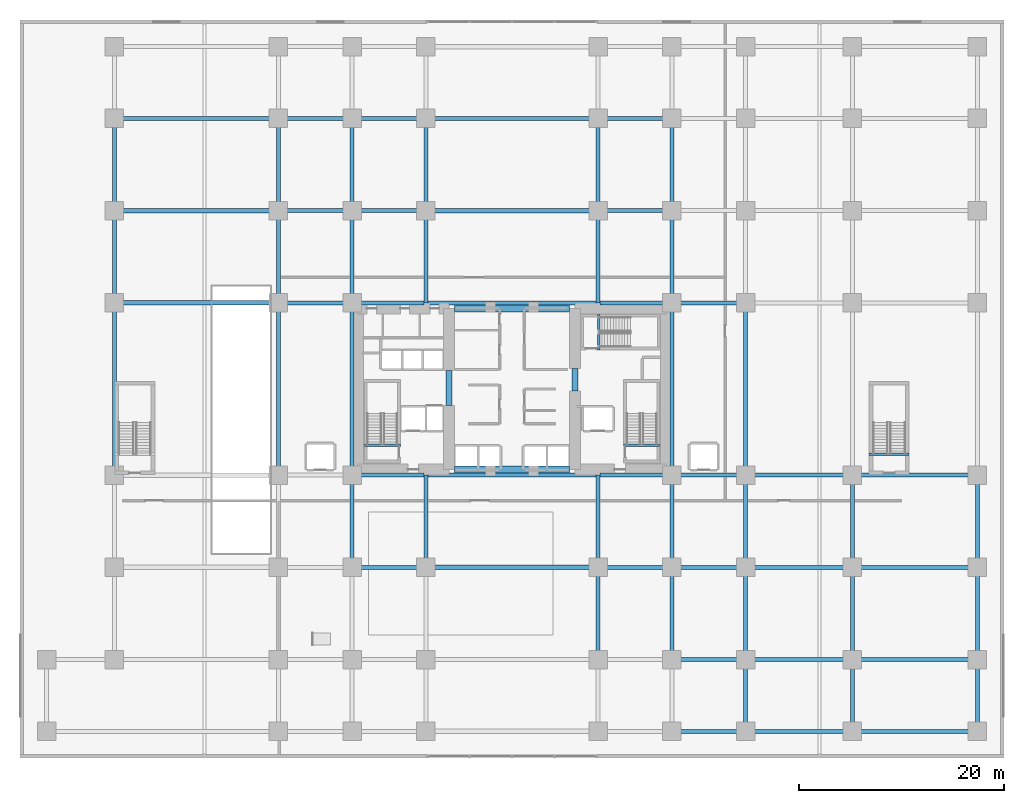
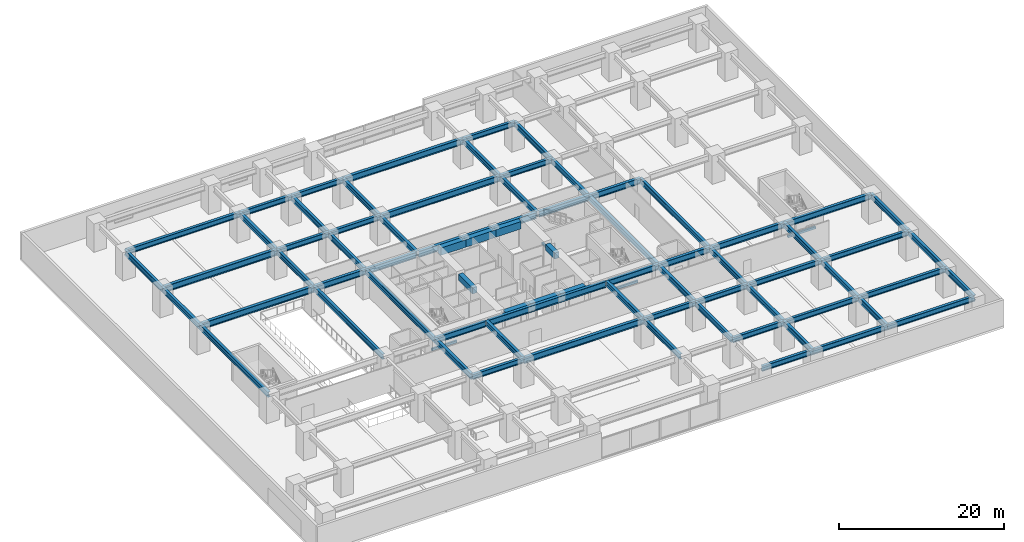
# One storey, part 5 of 22: 78 beams.
"""IFC4 building model written with IfcOpenShell, lengths in metres."""

from ifc_helpers import new_model, si_unit, direction, frame, origin, origin_2d, place, context, subcontext, project, spatial, rectangle, i_section, extrude, material, material_profile, profile_set, type_object, element, save


model = new_model("IFC4")

# Units and contexts
model_context = context("Model", 3, precision=1e-05, world=origin(), true_north=direction((0.0, 1.0)))
body_context = subcontext(model_context, "Body", "Model", "MODEL_VIEW")
ifc_project = project(units=[si_unit("LENGTHUNIT", "METRE"), si_unit("AREAUNIT", "SQUARE_METRE"), si_unit("VOLUMEUNIT", "CUBIC_METRE"), si_unit("PLANEANGLEUNIT", "RADIAN"), si_unit("MASSUNIT", "GRAM", prefix="KILO")], contexts=[model_context])

# Site, building, storey
site_placement = place(None, origin())
site = spatial("IfcSite", under=ifc_project, at=site_placement, CompositionType="ELEMENT")
building_placement = place(site_placement, origin())
building = spatial("IfcBuilding", under=site, at=building_placement, Name="Kiyonajd Concourse Tower", CompositionType="ELEMENT")
storey_placement = place(building_placement, frame((0.0, 0.0, 8.699951171875)))
storey = spatial("IfcBuildingStorey", under=building, at=storey_placement, Name="L03", CompositionType="ELEMENT", Elevation=8.699951171875)

# Beams
ifc_material_1 = material(Name="Steel ASTM A992 Grade 50", Category="steel")
ifc_material_profile_1 = material_profile(ifc_material_1, i_section(OverallWidth=0.423095703125, OverallDepth=0.93310546875, WebThickness=0.02392578125, FlangeThickness=0.042724609375, at=origin_2d()), Name="W920X446")
ifc_profile_set_1 = profile_set([ifc_material_profile_1], Name="Steel ASTM A992 Grade 50")
beam_type_1 = type_object("IfcBeamType", Name="BM-AUD-920A", PredefinedType="BEAM", material=ifc_profile_set_1)
for number, where, z_axis, x_axis, name in (
    (1, (9.199951171875, 44.39990234375, 3.41357421875), (1.0, 0.0, 0.0), (0.0, 1.0, 0.0), "L03 Auditorium Clear Span Girder"),
    (2, (9.199951171875, 53.39990234375, 3.41357421875), (1.0, 0.0, 0.0), (0.0, 1.0, 0.0), "L03 Auditorium Clear Span Girder"),
):
    element("IfcBeam", number, at=place(storey_placement, frame(where, z_axis=z_axis, x_axis=x_axis)), inside=storey, type_object=beam_type_1, Name=name, PredefinedType="BEAM", context=body_context, shape_type="SweptSolid", body=[
        extrude(i_section(OverallWidth=0.423095703125, OverallDepth=0.93310546875, WebThickness=0.02392578125, FlangeThickness=0.042724609375, at=origin_2d()), origin(), (0.0, 0.0, 1.0), 16.0),
    ])
ifc_material_profile_2 = material_profile(ifc_material_1, i_section(OverallWidth=0.41796875, OverallDepth=0.912109375, WebThickness=0.019287109375, FlangeThickness=0.031982421875, at=origin_2d()), Name="W920X342")
ifc_profile_set_2 = profile_set([ifc_material_profile_2], Name="Steel ASTM A992 Grade 50")
beam_type_2 = type_object("IfcBeamType", Name="BM-CON-920B", PredefinedType="BEAM", material=ifc_profile_set_2)
beam_1_placement = place(storey_placement, frame((39.60009765625, 18.60009765625, 3.424072265625), z_axis=(1.0, 0.0, 0.0), x_axis=(0.0, 1.0, 0.0)))
element("IfcBeam", 3, at=beam_1_placement, inside=storey, type_object=beam_type_2, Name="L03 Concourse Clear Span Girder", PredefinedType="BEAM", context=body_context, shape_type="SweptSolid", body=[
    extrude(i_section(OverallWidth=0.41796875, OverallDepth=0.912109375, WebThickness=0.019287109375, FlangeThickness=0.031982421875, at=origin_2d()), origin(), (0.0, 0.0, 1.0), 16.7998046875),
])
for number, where, z_axis, x_axis, name in (
    (4, (39.79052734375, 27.60009765625, 3.424072265625), (1.0, 0.0, 0.0), (0.0, 1.0, 0.0), "L03 Concourse Clear Span Girder"),
    (5, (39.79052734375, 44.39990234375, 3.424072265625), (1.0, 0.0, 0.0), (0.0, 1.0, 0.0), "L03 Concourse Clear Span Girder"),
):
    element("IfcBeam", number, at=place(storey_placement, frame(where, z_axis=z_axis, x_axis=x_axis)), inside=storey, type_object=beam_type_2, Name=name, PredefinedType="BEAM", context=body_context, shape_type="SweptSolid", body=[
        extrude(i_section(OverallWidth=0.41796875, OverallDepth=0.912109375, WebThickness=0.019287109375, FlangeThickness=0.031982421875, at=origin_2d()), origin(), (0.0, 0.0, 1.0), 16.4189453125),
    ])
for number, where, z_axis, x_axis, name in (
    (6, (39.60009765625, 53.39990234375, 3.424072265625), (1.0, 0.0, 0.0), (0.0, 1.0, 0.0), "L03 Concourse Clear Span Girder"),
    (7, (39.60009765625, 62.39990234375, 3.424072265625), (1.0, 0.0, 0.0), (0.0, 1.0, 0.0), "L03 Concourse Clear Span Girder"),
):
    element("IfcBeam", number, at=place(storey_placement, frame(where, z_axis=z_axis, x_axis=x_axis)), inside=storey, type_object=beam_type_2, Name=name, PredefinedType="BEAM", context=body_context, shape_type="SweptSolid", body=[
        extrude(i_section(OverallWidth=0.41796875, OverallDepth=0.912109375, WebThickness=0.019287109375, FlangeThickness=0.031982421875, at=origin_2d()), origin(), (0.0, 0.0, 1.0), 16.7998046875),
    ])
ifc_material_2 = material(Name="Concrete C70/85", Category="concrete")
ifc_material_profile_3 = material_profile(ifc_material_2, rectangle(XDim=0.699951171875, YDim=1.10009765625, at=origin_2d()), Name="RCBM-700x1100")
ifc_profile_set_3 = profile_set([ifc_material_profile_3], Name="Concrete C70/85")
beam_type_3 = type_object("IfcBeamType", Name="BM-COUP-1100", PredefinedType="LINTEL", material=ifc_profile_set_3)
beam_2_placement = place(storey_placement, frame((42.39990234375, 28.14990234375, 3.330078125), z_axis=(1.0, 0.0, 0.0), x_axis=(0.0, 1.0, 0.0)))
element("IfcBeam", 8, at=beam_2_placement, inside=storey, type_object=beam_type_3, Name="L03 Core Coupling Beam S1", PredefinedType="LINTEL", context=body_context, shape_type="SweptSolid", body=[
    extrude(rectangle(XDim=0.699951171875, YDim=1.10009765625, at=origin_2d()), origin(), (0.0, 0.0, 1.0), 3.5),
])
beam_3_placement = place(storey_placement, frame((45.89990234375, 28.14990234375, 3.330078125), z_axis=(1.0, 0.0, 0.0), x_axis=(0.0, 1.0, 0.0)))
element("IfcBeam", 9, at=beam_3_placement, inside=storey, type_object=beam_type_3, Name="L03 Core Coupling Beam S2", PredefinedType="LINTEL", context=body_context, shape_type="SweptSolid", body=[
    extrude(rectangle(XDim=0.699951171875, YDim=1.10009765625, at=origin_2d()), origin(), (0.0, 0.0, 1.0), 4.2001953125),
])
for number, where, z_axis, x_axis, name in (
    (10, (50.10009765625, 28.14990234375, 3.330078125), (1.0, 0.0, 0.0), (0.0, 1.0, 0.0), "L03 Core Coupling Beam S3"),
    (11, (42.39990234375, 43.85009765625, 3.330078125), (1.0, 0.0, 0.0), (0.0, 1.0, 0.0), "L03 Core Coupling Beam N1"),
):
    element("IfcBeam", number, at=place(storey_placement, frame(where, z_axis=z_axis, x_axis=x_axis)), inside=storey, type_object=beam_type_3, Name=name, PredefinedType="LINTEL", context=body_context, shape_type="SweptSolid", body=[
        extrude(rectangle(XDim=0.699951171875, YDim=1.10009765625, at=origin_2d()), origin(), (0.0, 0.0, 1.0), 3.5),
    ])
beam_4_placement = place(storey_placement, frame((45.89990234375, 43.85009765625, 3.330078125), z_axis=(1.0, 0.0, 0.0), x_axis=(0.0, 1.0, 0.0)))
element("IfcBeam", 12, at=beam_4_placement, inside=storey, type_object=beam_type_3, Name="L03 Core Coupling Beam N2", PredefinedType="LINTEL", context=body_context, shape_type="SweptSolid", body=[
    extrude(rectangle(XDim=0.699951171875, YDim=1.10009765625, at=origin_2d()), origin(), (0.0, 0.0, 1.0), 4.2001953125),
])
beam_5_placement = place(storey_placement, frame((50.10009765625, 43.85009765625, 3.330078125), z_axis=(1.0, 0.0, 0.0), x_axis=(0.0, 1.0, 0.0)))
element("IfcBeam", 13, at=beam_5_placement, inside=storey, type_object=beam_type_3, Name="L03 Core Coupling Beam N3", PredefinedType="LINTEL", context=body_context, shape_type="SweptSolid", body=[
    extrude(rectangle(XDim=0.699951171875, YDim=1.10009765625, at=origin_2d()), origin(), (0.0, 0.0, 1.0), 3.5),
])
ifc_material_3 = material(Name="Concrete C60/75", Category="concrete")
ifc_material_profile_4 = material_profile(ifc_material_3, rectangle(XDim=0.60009765625, YDim=0.89990234375, at=origin_2d()), Name="RCBM-600x900")
ifc_profile_set_4 = profile_set([ifc_material_profile_4], Name="Concrete C60/75")
beam_type_4 = type_object("IfcBeamType", Name="BM-COUP-900", PredefinedType="LINTEL", material=ifc_profile_set_4)
beam_6_placement = place(storey_placement, frame((41.85009765625, 34.39990234375, 3.330078125), z_axis=(0.0, 1.0, 0.0), x_axis=(-1.0, 0.0, 0.0)))
element("IfcBeam", 14, at=beam_6_placement, inside=storey, type_object=beam_type_4, Name="L03 West Core Throat Coupling Lintel", PredefinedType="LINTEL", context=body_context, shape_type="SweptSolid", body=[
    extrude(rectangle(XDim=0.60009765625, YDim=0.89990234375, at=origin_2d()), origin(), (0.0, 0.0, 1.0), 3.400146484375),
])
beam_7_placement = place(storey_placement, frame((54.14990234375, 35.800048828125, 3.330078125), z_axis=(0.0, 1.0, 0.0), x_axis=(-1.0, 0.0, 0.0)))
element("IfcBeam", 15, at=beam_7_placement, inside=storey, type_object=beam_type_4, Name="L03 East Core Throat Coupling Lintel", PredefinedType="LINTEL", context=body_context, shape_type="SweptSolid", body=[
    extrude(rectangle(XDim=0.60009765625, YDim=0.89990234375, at=origin_2d()), origin(), (0.0, 0.0, 1.0), 2.199951171875),
])
ifc_material_4 = material(Name="Concrete C50/60", Category="concrete")
ifc_material_profile_5 = material_profile(ifc_material_4, rectangle(XDim=0.239990234375, YDim=0.320068359375, at=origin_2d()), Name="RCBM-240x320")
ifc_profile_set_5 = profile_set([ifc_material_profile_5], Name="Concrete C50/60")
beam_type_5 = type_object("IfcBeamType", Name="BM-LNT-250", PredefinedType="LINTEL", material=ifc_profile_set_5)
for number, where, z_axis, x_axis, name in (
    (16, (33.590087890625, 30.530029296875, -0.159912109375), (1.0, 0.0, 0.0), (0.0, 1.0, 0.0), "L03 Stair ST1 Threshold Support Beam"),
    (17, (58.889892578125, 30.530029296875, -0.159912109375), (1.0, 0.0, 0.0), (0.0, 1.0, 0.0), "L03 Stair ST2 Threshold Support Beam"),
):
    element("IfcBeam", number, at=place(storey_placement, frame(where, z_axis=z_axis, x_axis=x_axis)), inside=storey, type_object=beam_type_5, Name=name, PredefinedType="LINTEL", context=body_context, shape_type="SweptSolid", body=[
        extrude(rectangle(XDim=0.239990234375, YDim=0.320068359375, at=origin_2d()), origin(), (0.0, 0.0, 1.0), 3.52001953125),
    ])
beam_8_placement = place(storey_placement, frame((56.4599609375, 39.820068359375, -0.159912109375), z_axis=(0.0, 1.0, 0.0), x_axis=(-1.0, 0.0, 0.0)))
element("IfcBeam", 18, at=beam_8_placement, inside=storey, type_object=beam_type_5, Name="L03 Stair ST3 Threshold Support Beam", PredefinedType="LINTEL", context=body_context, shape_type="SweptSolid", body=[
    extrude(rectangle(XDim=0.239990234375, YDim=0.320068359375, at=origin_2d()), origin(), (0.0, 0.0, 1.0), 3.4599609375),
])
beam_9_placement = place(storey_placement, frame((82.85009765625, 29.6298828125, -0.159912109375), z_axis=(1.0, 0.0, 0.0), x_axis=(0.0, 1.0, 0.0)))
element("IfcBeam", 19, at=beam_9_placement, inside=storey, type_object=beam_type_5, Name="L03 Stair ST5 Threshold Support Beam", PredefinedType="LINTEL", context=body_context, shape_type="SweptSolid", body=[
    extrude(rectangle(XDim=0.239990234375, YDim=0.320068359375, at=origin_2d()), origin(), (0.0, 0.0, 1.0), 3.89990234375),
])
ifc_material_profile_6 = material_profile(ifc_material_1, i_section(OverallWidth=0.381103515625, OverallDepth=0.77294921875, WebThickness=0.0166015625, FlangeThickness=0.027099609375, at=origin_2d()), Name="W760X257")
ifc_profile_set_6 = profile_set([ifc_material_profile_6], Name="Steel ASTM A992 Grade 50")
beam_type_6 = type_object("IfcBeamType", Name="BM-POD-760", PredefinedType="BEAM", material=ifc_profile_set_6)
beam_10_placement = place(storey_placement, frame((63.60009765625, 2.60009765625, 3.49365234375), z_axis=(1.0, 0.0, 0.0), x_axis=(0.0, 1.0, 0.0)))
element("IfcBeam", 20, at=beam_10_placement, inside=storey, type_object=beam_type_6, Name="L03 Podium Primary Beam", PredefinedType="BEAM", context=body_context, shape_type="SweptSolid", body=[
    extrude(i_section(OverallWidth=0.381103515625, OverallDepth=0.77294921875, WebThickness=0.0166015625, FlangeThickness=0.027099609375, at=origin_2d()), origin(), (0.0, 0.0, 1.0), 7.199951171875),
])
beam_11_placement = place(storey_placement, frame((70.800048828125, 2.60009765625, 3.49365234375), z_axis=(1.0, 0.0, 0.0), x_axis=(0.0, 1.0, 0.0)))
element("IfcBeam", 21, at=beam_11_placement, inside=storey, type_object=beam_type_6, Name="L03 Podium Primary Beam", PredefinedType="BEAM", context=body_context, shape_type="SweptSolid", body=[
    extrude(i_section(OverallWidth=0.381103515625, OverallDepth=0.77294921875, WebThickness=0.0166015625, FlangeThickness=0.027099609375, at=origin_2d()), origin(), (0.0, 0.0, 1.0), 10.39990234375),
])
beam_12_placement = place(storey_placement, frame((81.199951171875, 2.60009765625, 3.49365234375), z_axis=(1.0, 0.0, 0.0), x_axis=(0.0, 1.0, 0.0)))
element("IfcBeam", 22, at=beam_12_placement, inside=storey, type_object=beam_type_6, Name="L03 Podium Primary Beam", PredefinedType="BEAM", context=body_context, shape_type="SweptSolid", body=[
    extrude(i_section(OverallWidth=0.381103515625, OverallDepth=0.77294921875, WebThickness=0.0166015625, FlangeThickness=0.027099609375, at=origin_2d()), origin(), (0.0, 0.0, 1.0), 12.199951171875),
])
beam_13_placement = place(storey_placement, frame((63.60009765625, 9.60009765625, 3.49365234375), z_axis=(1.0, 0.0, 0.0), x_axis=(0.0, 1.0, 0.0)))
element("IfcBeam", 23, at=beam_13_placement, inside=storey, type_object=beam_type_6, Name="L03 Podium Primary Beam", PredefinedType="BEAM", context=body_context, shape_type="SweptSolid", body=[
    extrude(i_section(OverallWidth=0.381103515625, OverallDepth=0.77294921875, WebThickness=0.0166015625, FlangeThickness=0.027099609375, at=origin_2d()), origin(), (0.0, 0.0, 1.0), 7.199951171875),
])
beam_14_placement = place(storey_placement, frame((70.800048828125, 9.60009765625, 3.49365234375), z_axis=(1.0, 0.0, 0.0), x_axis=(0.0, 1.0, 0.0)))
element("IfcBeam", 24, at=beam_14_placement, inside=storey, type_object=beam_type_6, Name="L03 Podium Primary Beam", PredefinedType="BEAM", context=body_context, shape_type="SweptSolid", body=[
    extrude(i_section(OverallWidth=0.381103515625, OverallDepth=0.77294921875, WebThickness=0.0166015625, FlangeThickness=0.027099609375, at=origin_2d()), origin(), (0.0, 0.0, 1.0), 10.39990234375),
])
beam_15_placement = place(storey_placement, frame((81.199951171875, 9.60009765625, 3.49365234375), z_axis=(1.0, 0.0, 0.0), x_axis=(0.0, 1.0, 0.0)))
element("IfcBeam", 25, at=beam_15_placement, inside=storey, type_object=beam_type_6, Name="L03 Podium Primary Beam", PredefinedType="BEAM", context=body_context, shape_type="SweptSolid", body=[
    extrude(i_section(OverallWidth=0.381103515625, OverallDepth=0.77294921875, WebThickness=0.0166015625, FlangeThickness=0.027099609375, at=origin_2d()), origin(), (0.0, 0.0, 1.0), 12.199951171875),
])
for number, where, z_axis, x_axis, name in (
    (26, (32.39990234375, 18.60009765625, 3.49365234375), (1.0, 0.0, 0.0), (0.0, 1.0, 0.0), "L03 Podium Primary Beam"),
    (27, (56.39990234375, 18.60009765625, 3.49365234375), (1.0, 0.0, 0.0), (0.0, 1.0, 0.0), "L03 Podium Primary Beam"),
):
    element("IfcBeam", number, at=place(storey_placement, frame(where, z_axis=z_axis, x_axis=x_axis)), inside=storey, type_object=beam_type_6, Name=name, PredefinedType="BEAM", context=body_context, shape_type="SweptSolid", body=[
        extrude(i_section(OverallWidth=0.381103515625, OverallDepth=0.77294921875, WebThickness=0.0166015625, FlangeThickness=0.027099609375, at=origin_2d()), origin(), (0.0, 0.0, 1.0), 7.2001953125),
    ])
beam_16_placement = place(storey_placement, frame((63.60009765625, 18.60009765625, 3.49365234375), z_axis=(1.0, 0.0, 0.0), x_axis=(0.0, 1.0, 0.0)))
element("IfcBeam", 28, at=beam_16_placement, inside=storey, type_object=beam_type_6, Name="L03 Podium Primary Beam", PredefinedType="BEAM", context=body_context, shape_type="SweptSolid", body=[
    extrude(i_section(OverallWidth=0.381103515625, OverallDepth=0.77294921875, WebThickness=0.0166015625, FlangeThickness=0.027099609375, at=origin_2d()), origin(), (0.0, 0.0, 1.0), 7.199951171875),
])
beam_17_placement = place(storey_placement, frame((70.800048828125, 18.60009765625, 3.49365234375), z_axis=(1.0, 0.0, 0.0), x_axis=(0.0, 1.0, 0.0)))
element("IfcBeam", 29, at=beam_17_placement, inside=storey, type_object=beam_type_6, Name="L03 Podium Primary Beam", PredefinedType="BEAM", context=body_context, shape_type="SweptSolid", body=[
    extrude(i_section(OverallWidth=0.381103515625, OverallDepth=0.77294921875, WebThickness=0.0166015625, FlangeThickness=0.027099609375, at=origin_2d()), origin(), (0.0, 0.0, 1.0), 10.39990234375),
])
beam_18_placement = place(storey_placement, frame((81.199951171875, 18.60009765625, 3.49365234375), z_axis=(1.0, 0.0, 0.0), x_axis=(0.0, 1.0, 0.0)))
element("IfcBeam", 30, at=beam_18_placement, inside=storey, type_object=beam_type_6, Name="L03 Podium Primary Beam", PredefinedType="BEAM", context=body_context, shape_type="SweptSolid", body=[
    extrude(i_section(OverallWidth=0.381103515625, OverallDepth=0.77294921875, WebThickness=0.0166015625, FlangeThickness=0.027099609375, at=origin_2d()), origin(), (0.0, 0.0, 1.0), 12.199951171875),
])
beam_19_placement = place(storey_placement, frame((25.199951171875, 53.39990234375, 3.49365234375), z_axis=(1.0, 0.0, 0.0), x_axis=(0.0, 1.0, 0.0)))
element("IfcBeam", 31, at=beam_19_placement, inside=storey, type_object=beam_type_6, Name="L03 Podium Primary Beam", PredefinedType="BEAM", context=body_context, shape_type="SweptSolid", body=[
    extrude(i_section(OverallWidth=0.381103515625, OverallDepth=0.77294921875, WebThickness=0.0166015625, FlangeThickness=0.027099609375, at=origin_2d()), origin(), (0.0, 0.0, 1.0), 7.199951171875),
])
for number, where, z_axis, x_axis, name in (
    (32, (32.39990234375, 53.39990234375, 3.49365234375), (1.0, 0.0, 0.0), (0.0, 1.0, 0.0), "L03 Podium Primary Beam"),
    (33, (56.39990234375, 53.39990234375, 3.49365234375), (1.0, 0.0, 0.0), (0.0, 1.0, 0.0), "L03 Podium Primary Beam"),
):
    element("IfcBeam", number, at=place(storey_placement, frame(where, z_axis=z_axis, x_axis=x_axis)), inside=storey, type_object=beam_type_6, Name=name, PredefinedType="BEAM", context=body_context, shape_type="SweptSolid", body=[
        extrude(i_section(OverallWidth=0.381103515625, OverallDepth=0.77294921875, WebThickness=0.0166015625, FlangeThickness=0.027099609375, at=origin_2d()), origin(), (0.0, 0.0, 1.0), 7.2001953125),
    ])
beam_20_placement = place(storey_placement, frame((9.199951171875, 62.39990234375, 3.49365234375), z_axis=(1.0, 0.0, 0.0), x_axis=(0.0, 1.0, 0.0)))
element("IfcBeam", 34, at=beam_20_placement, inside=storey, type_object=beam_type_6, Name="L03 Podium Primary Beam", PredefinedType="BEAM", context=body_context, shape_type="SweptSolid", body=[
    extrude(i_section(OverallWidth=0.381103515625, OverallDepth=0.77294921875, WebThickness=0.0166015625, FlangeThickness=0.027099609375, at=origin_2d()), origin(), (0.0, 0.0, 1.0), 16.0),
])
beam_21_placement = place(storey_placement, frame((25.199951171875, 62.39990234375, 3.49365234375), z_axis=(1.0, 0.0, 0.0), x_axis=(0.0, 1.0, 0.0)))
element("IfcBeam", 35, at=beam_21_placement, inside=storey, type_object=beam_type_6, Name="L03 Podium Primary Beam", PredefinedType="BEAM", context=body_context, shape_type="SweptSolid", body=[
    extrude(i_section(OverallWidth=0.381103515625, OverallDepth=0.77294921875, WebThickness=0.0166015625, FlangeThickness=0.027099609375, at=origin_2d()), origin(), (0.0, 0.0, 1.0), 7.199951171875),
])
for number, where, z_axis, x_axis, name in (
    (36, (32.39990234375, 62.39990234375, 3.49365234375), (1.0, 0.0, 0.0), (0.0, 1.0, 0.0), "L03 Podium Primary Beam"),
    (37, (56.39990234375, 62.39990234375, 3.49365234375), (1.0, 0.0, 0.0), (0.0, 1.0, 0.0), "L03 Podium Primary Beam"),
):
    element("IfcBeam", number, at=place(storey_placement, frame(where, z_axis=z_axis, x_axis=x_axis)), inside=storey, type_object=beam_type_6, Name=name, PredefinedType="BEAM", context=body_context, shape_type="SweptSolid", body=[
        extrude(i_section(OverallWidth=0.381103515625, OverallDepth=0.77294921875, WebThickness=0.0166015625, FlangeThickness=0.027099609375, at=origin_2d()), origin(), (0.0, 0.0, 1.0), 7.2001953125),
    ])
beam_22_placement = place(storey_placement, frame((9.199951171875, 27.60009765625, 3.49365234375), z_axis=(0.0, 1.0, 0.0), x_axis=(-1.0, 0.0, 0.0)))
element("IfcBeam", 38, at=beam_22_placement, inside=storey, type_object=beam_type_6, Name="L03 Podium North South Beam", PredefinedType="BEAM", context=body_context, shape_type="SweptSolid", body=[
    extrude(i_section(OverallWidth=0.381103515625, OverallDepth=0.77294921875, WebThickness=0.0166015625, FlangeThickness=0.027099609375, at=origin_2d()), origin(), (0.0, 0.0, 1.0), 16.7998046875),
])
for number, where, z_axis, x_axis, name in (
    (39, (9.199951171875, 44.39990234375, 3.49365234375), (0.0, 1.0, 0.0), (-1.0, 0.0, 0.0), "L03 Podium North South Beam"),
    (40, (9.199951171875, 53.39990234375, 3.49365234375), (0.0, 1.0, 0.0), (-1.0, 0.0, 0.0), "L03 Podium North South Beam"),
):
    element("IfcBeam", number, at=place(storey_placement, frame(where, z_axis=z_axis, x_axis=x_axis)), inside=storey, type_object=beam_type_6, Name=name, PredefinedType="BEAM", context=body_context, shape_type="SweptSolid", body=[
        extrude(i_section(OverallWidth=0.381103515625, OverallDepth=0.77294921875, WebThickness=0.0166015625, FlangeThickness=0.027099609375, at=origin_2d()), origin(), (0.0, 0.0, 1.0), 9.0),
    ])
beam_23_placement = place(storey_placement, frame((25.199951171875, 27.60009765625, 3.49365234375), z_axis=(0.0, 1.0, 0.0), x_axis=(-1.0, 0.0, 0.0)))
element("IfcBeam", 41, at=beam_23_placement, inside=storey, type_object=beam_type_6, Name="L03 Podium North South Beam", PredefinedType="BEAM", context=body_context, shape_type="SweptSolid", body=[
    extrude(i_section(OverallWidth=0.381103515625, OverallDepth=0.77294921875, WebThickness=0.0166015625, FlangeThickness=0.027099609375, at=origin_2d()), origin(), (0.0, 0.0, 1.0), 16.7998046875),
])
for number, where, z_axis, x_axis, name in (
    (42, (25.199951171875, 44.39990234375, 3.49365234375), (0.0, 1.0, 0.0), (-1.0, 0.0, 0.0), "L03 Podium North South Beam"),
    (43, (25.199951171875, 53.39990234375, 3.49365234375), (0.0, 1.0, 0.0), (-1.0, 0.0, 0.0), "L03 Podium North South Beam"),
    (44, (32.39990234375, 18.60009765625, 3.49365234375), (0.0, 1.0, 0.0), (-1.0, 0.0, 0.0), "L03 Podium North South Beam"),
):
    element("IfcBeam", number, at=place(storey_placement, frame(where, z_axis=z_axis, x_axis=x_axis)), inside=storey, type_object=beam_type_6, Name=name, PredefinedType="BEAM", context=body_context, shape_type="SweptSolid", body=[
        extrude(i_section(OverallWidth=0.381103515625, OverallDepth=0.77294921875, WebThickness=0.0166015625, FlangeThickness=0.027099609375, at=origin_2d()), origin(), (0.0, 0.0, 1.0), 9.0),
    ])
beam_24_placement = place(storey_placement, frame((32.39990234375, 27.60009765625, 3.49365234375), z_axis=(0.0, 1.0, 0.0), x_axis=(-1.0, 0.0, 0.0)))
element("IfcBeam", 45, at=beam_24_placement, inside=storey, type_object=beam_type_6, Name="L03 Podium North South Beam", PredefinedType="BEAM", context=body_context, shape_type="SweptSolid", body=[
    extrude(i_section(OverallWidth=0.381103515625, OverallDepth=0.77294921875, WebThickness=0.0166015625, FlangeThickness=0.027099609375, at=origin_2d()), origin(), (0.0, 0.0, 1.0), 16.7998046875),
])
for number, where, z_axis, x_axis, name in (
    (46, (32.39990234375, 44.39990234375, 3.49365234375), (0.0, 1.0, 0.0), (-1.0, 0.0, 0.0), "L03 Podium North South Beam"),
    (47, (32.39990234375, 53.39990234375, 3.49365234375), (0.0, 1.0, 0.0), (-1.0, 0.0, 0.0), "L03 Podium North South Beam"),
    (48, (39.60009765625, 18.60009765625, 3.49365234375), (0.0, 1.0, 0.0), (-1.0, 0.0, 0.0), "L03 Podium North South Beam"),
    (49, (39.60009765625, 44.39990234375, 3.49365234375), (0.0, 1.0, 0.0), (-1.0, 0.0, 0.0), "L03 Podium North South Beam"),
    (50, (39.60009765625, 53.39990234375, 3.49365234375), (0.0, 1.0, 0.0), (-1.0, 0.0, 0.0), "L03 Podium North South Beam"),
    (51, (56.39990234375, 9.60009765625, 3.49365234375), (0.0, 1.0, 0.0), (-1.0, 0.0, 0.0), "L03 Podium North South Beam"),
    (52, (56.39990234375, 18.60009765625, 3.49365234375), (0.0, 1.0, 0.0), (-1.0, 0.0, 0.0), "L03 Podium North South Beam"),
    (53, (56.39990234375, 44.39990234375, 3.49365234375), (0.0, 1.0, 0.0), (-1.0, 0.0, 0.0), "L03 Podium North South Beam"),
    (54, (56.39990234375, 53.39990234375, 3.49365234375), (0.0, 1.0, 0.0), (-1.0, 0.0, 0.0), "L03 Podium North South Beam"),
    (55, (63.60009765625, 9.60009765625, 3.49365234375), (0.0, 1.0, 0.0), (-1.0, 0.0, 0.0), "L03 Podium North South Beam"),
    (56, (63.60009765625, 18.60009765625, 3.49365234375), (0.0, 1.0, 0.0), (-1.0, 0.0, 0.0), "L03 Podium North South Beam"),
):
    element("IfcBeam", number, at=place(storey_placement, frame(where, z_axis=z_axis, x_axis=x_axis)), inside=storey, type_object=beam_type_6, Name=name, PredefinedType="BEAM", context=body_context, shape_type="SweptSolid", body=[
        extrude(i_section(OverallWidth=0.381103515625, OverallDepth=0.77294921875, WebThickness=0.0166015625, FlangeThickness=0.027099609375, at=origin_2d()), origin(), (0.0, 0.0, 1.0), 9.0),
    ])
beam_25_placement = place(storey_placement, frame((63.60009765625, 27.60009765625, 3.49365234375), z_axis=(0.0, 1.0, 0.0), x_axis=(-1.0, 0.0, 0.0)))
element("IfcBeam", 57, at=beam_25_placement, inside=storey, type_object=beam_type_6, Name="L03 Podium North South Beam", PredefinedType="BEAM", context=body_context, shape_type="SweptSolid", body=[
    extrude(i_section(OverallWidth=0.381103515625, OverallDepth=0.77294921875, WebThickness=0.0166015625, FlangeThickness=0.027099609375, at=origin_2d()), origin(), (0.0, 0.0, 1.0), 16.7998046875),
])
for number, where, z_axis, x_axis, name in (
    (58, (63.60009765625, 44.39990234375, 3.49365234375), (0.0, 1.0, 0.0), (-1.0, 0.0, 0.0), "L03 Podium North South Beam"),
    (59, (63.60009765625, 53.39990234375, 3.49365234375), (0.0, 1.0, 0.0), (-1.0, 0.0, 0.0), "L03 Podium North South Beam"),
):
    element("IfcBeam", number, at=place(storey_placement, frame(where, z_axis=z_axis, x_axis=x_axis)), inside=storey, type_object=beam_type_6, Name=name, PredefinedType="BEAM", context=body_context, shape_type="SweptSolid", body=[
        extrude(i_section(OverallWidth=0.381103515625, OverallDepth=0.77294921875, WebThickness=0.0166015625, FlangeThickness=0.027099609375, at=origin_2d()), origin(), (0.0, 0.0, 1.0), 9.0),
    ])
beam_26_placement = place(storey_placement, frame((70.800048828125, 2.60009765625, 3.49365234375), z_axis=(0.0, 1.0, 0.0), x_axis=(-1.0, 0.0, 0.0)))
element("IfcBeam", 60, at=beam_26_placement, inside=storey, type_object=beam_type_6, Name="L03 Podium North South Beam", PredefinedType="BEAM", context=body_context, shape_type="SweptSolid", body=[
    extrude(i_section(OverallWidth=0.381103515625, OverallDepth=0.77294921875, WebThickness=0.0166015625, FlangeThickness=0.027099609375, at=origin_2d()), origin(), (0.0, 0.0, 1.0), 7.0),
])
for number, where, z_axis, x_axis, name in (
    (61, (70.800048828125, 9.60009765625, 3.49365234375), (0.0, 1.0, 0.0), (-1.0, 0.0, 0.0), "L03 Podium North South Beam"),
    (62, (70.800048828125, 18.60009765625, 3.49365234375), (0.0, 1.0, 0.0), (-1.0, 0.0, 0.0), "L03 Podium North South Beam"),
):
    element("IfcBeam", number, at=place(storey_placement, frame(where, z_axis=z_axis, x_axis=x_axis)), inside=storey, type_object=beam_type_6, Name=name, PredefinedType="BEAM", context=body_context, shape_type="SweptSolid", body=[
        extrude(i_section(OverallWidth=0.381103515625, OverallDepth=0.77294921875, WebThickness=0.0166015625, FlangeThickness=0.027099609375, at=origin_2d()), origin(), (0.0, 0.0, 1.0), 9.0),
    ])
beam_27_placement = place(storey_placement, frame((70.800048828125, 27.60009765625, 3.49365234375), z_axis=(0.0, 1.0, 0.0), x_axis=(-1.0, 0.0, 0.0)))
element("IfcBeam", 63, at=beam_27_placement, inside=storey, type_object=beam_type_6, Name="L03 Podium North South Beam", PredefinedType="BEAM", context=body_context, shape_type="SweptSolid", body=[
    extrude(i_section(OverallWidth=0.381103515625, OverallDepth=0.77294921875, WebThickness=0.0166015625, FlangeThickness=0.027099609375, at=origin_2d()), origin(), (0.0, 0.0, 1.0), 16.7998046875),
])
beam_28_placement = place(storey_placement, frame((81.199951171875, 2.60009765625, 3.49365234375), z_axis=(0.0, 1.0, 0.0), x_axis=(-1.0, 0.0, 0.0)))
element("IfcBeam", 64, at=beam_28_placement, inside=storey, type_object=beam_type_6, Name="L03 Podium North South Beam", PredefinedType="BEAM", context=body_context, shape_type="SweptSolid", body=[
    extrude(i_section(OverallWidth=0.381103515625, OverallDepth=0.77294921875, WebThickness=0.0166015625, FlangeThickness=0.027099609375, at=origin_2d()), origin(), (0.0, 0.0, 1.0), 7.0),
])
for number, where, z_axis, x_axis, name in (
    (65, (81.199951171875, 9.60009765625, 3.49365234375), (0.0, 1.0, 0.0), (-1.0, 0.0, 0.0), "L03 Podium North South Beam"),
    (66, (81.199951171875, 18.60009765625, 3.49365234375), (0.0, 1.0, 0.0), (-1.0, 0.0, 0.0), "L03 Podium North South Beam"),
):
    element("IfcBeam", number, at=place(storey_placement, frame(where, z_axis=z_axis, x_axis=x_axis)), inside=storey, type_object=beam_type_6, Name=name, PredefinedType="BEAM", context=body_context, shape_type="SweptSolid", body=[
        extrude(i_section(OverallWidth=0.381103515625, OverallDepth=0.77294921875, WebThickness=0.0166015625, FlangeThickness=0.027099609375, at=origin_2d()), origin(), (0.0, 0.0, 1.0), 9.0),
    ])
beam_29_placement = place(storey_placement, frame((93.39990234375, 2.60009765625, 3.49365234375), z_axis=(0.0, 1.0, 0.0), x_axis=(-1.0, 0.0, 0.0)))
element("IfcBeam", 67, at=beam_29_placement, inside=storey, type_object=beam_type_6, Name="L03 Podium North South Beam", PredefinedType="BEAM", context=body_context, shape_type="SweptSolid", body=[
    extrude(i_section(OverallWidth=0.381103515625, OverallDepth=0.77294921875, WebThickness=0.0166015625, FlangeThickness=0.027099609375, at=origin_2d()), origin(), (0.0, 0.0, 1.0), 7.0),
])
for number, where, z_axis, x_axis, name in (
    (68, (93.39990234375, 9.60009765625, 3.49365234375), (0.0, 1.0, 0.0), (-1.0, 0.0, 0.0), "L03 Podium North South Beam"),
    (69, (93.39990234375, 18.60009765625, 3.49365234375), (0.0, 1.0, 0.0), (-1.0, 0.0, 0.0), "L03 Podium North South Beam"),
):
    element("IfcBeam", number, at=place(storey_placement, frame(where, z_axis=z_axis, x_axis=x_axis)), inside=storey, type_object=beam_type_6, Name=name, PredefinedType="BEAM", context=body_context, shape_type="SweptSolid", body=[
        extrude(i_section(OverallWidth=0.381103515625, OverallDepth=0.77294921875, WebThickness=0.0166015625, FlangeThickness=0.027099609375, at=origin_2d()), origin(), (0.0, 0.0, 1.0), 9.0),
    ])
ifc_material_profile_7 = material_profile(ifc_material_1, i_section(OverallWidth=0.39990234375, OverallDepth=0.85498046875, WebThickness=0.018310546875, FlangeThickness=0.029296875, at=origin_2d()), Name="W840X299")
ifc_profile_set_7 = profile_set([ifc_material_profile_7], Name="Steel ASTM A992 Grade 50")
beam_type_7 = type_object("IfcBeamType", Name="BM-POD-840", PredefinedType="BEAM", material=ifc_profile_set_7)
for number, where, z_axis, x_axis, name in (
    (70, (32.39990234375, 27.60009765625, 3.45263671875), (1.0, 0.0, 0.0), (0.0, 1.0, 0.0), "L03 Podium Primary Beam"),
    (71, (56.590576171875, 27.60009765625, 3.45263671875), (1.0, 0.0, 0.0), (0.0, 1.0, 0.0), "L03 Podium Primary Beam"),
):
    element("IfcBeam", number, at=place(storey_placement, frame(where, z_axis=z_axis, x_axis=x_axis)), inside=storey, type_object=beam_type_7, Name=name, PredefinedType="BEAM", context=body_context, shape_type="SweptSolid", body=[
        extrude(i_section(OverallWidth=0.39990234375, OverallDepth=0.85498046875, WebThickness=0.018310546875, FlangeThickness=0.029296875, at=origin_2d()), origin(), (0.0, 0.0, 1.0), 7.009521484375),
    ])
beam_30_placement = place(storey_placement, frame((63.60009765625, 27.60009765625, 3.45263671875), z_axis=(1.0, 0.0, 0.0), x_axis=(0.0, 1.0, 0.0)))
element("IfcBeam", 72, at=beam_30_placement, inside=storey, type_object=beam_type_7, Name="L03 Podium Primary Beam", PredefinedType="BEAM", context=body_context, shape_type="SweptSolid", body=[
    extrude(i_section(OverallWidth=0.39990234375, OverallDepth=0.85498046875, WebThickness=0.018310546875, FlangeThickness=0.029296875, at=origin_2d()), origin(), (0.0, 0.0, 1.0), 7.199951171875),
])
beam_31_placement = place(storey_placement, frame((70.800048828125, 27.60009765625, 3.45263671875), z_axis=(1.0, 0.0, 0.0), x_axis=(0.0, 1.0, 0.0)))
element("IfcBeam", 73, at=beam_31_placement, inside=storey, type_object=beam_type_7, Name="L03 Podium Primary Beam", PredefinedType="BEAM", context=body_context, shape_type="SweptSolid", body=[
    extrude(i_section(OverallWidth=0.39990234375, OverallDepth=0.85498046875, WebThickness=0.018310546875, FlangeThickness=0.029296875, at=origin_2d()), origin(), (0.0, 0.0, 1.0), 10.39990234375),
])
beam_32_placement = place(storey_placement, frame((81.199951171875, 27.60009765625, 3.45263671875), z_axis=(1.0, 0.0, 0.0), x_axis=(0.0, 1.0, 0.0)))
element("IfcBeam", 74, at=beam_32_placement, inside=storey, type_object=beam_type_7, Name="L03 Podium Primary Beam", PredefinedType="BEAM", context=body_context, shape_type="SweptSolid", body=[
    extrude(i_section(OverallWidth=0.39990234375, OverallDepth=0.85498046875, WebThickness=0.018310546875, FlangeThickness=0.029296875, at=origin_2d()), origin(), (0.0, 0.0, 1.0), 12.199951171875),
])
beam_33_placement = place(storey_placement, frame((25.199951171875, 44.39990234375, 3.45263671875), z_axis=(1.0, 0.0, 0.0), x_axis=(0.0, 1.0, 0.0)))
element("IfcBeam", 75, at=beam_33_placement, inside=storey, type_object=beam_type_7, Name="L03 Podium Primary Beam", PredefinedType="BEAM", context=body_context, shape_type="SweptSolid", body=[
    extrude(i_section(OverallWidth=0.39990234375, OverallDepth=0.85498046875, WebThickness=0.018310546875, FlangeThickness=0.029296875, at=origin_2d()), origin(), (0.0, 0.0, 1.0), 7.199951171875),
])
for number, where, z_axis, x_axis, name in (
    (76, (32.39990234375, 44.39990234375, 3.45263671875), (1.0, 0.0, 0.0), (0.0, 1.0, 0.0), "L03 Podium Primary Beam"),
    (77, (56.590576171875, 44.39990234375, 3.45263671875), (1.0, 0.0, 0.0), (0.0, 1.0, 0.0), "L03 Podium Primary Beam"),
):
    element("IfcBeam", number, at=place(storey_placement, frame(where, z_axis=z_axis, x_axis=x_axis)), inside=storey, type_object=beam_type_7, Name=name, PredefinedType="BEAM", context=body_context, shape_type="SweptSolid", body=[
        extrude(i_section(OverallWidth=0.39990234375, OverallDepth=0.85498046875, WebThickness=0.018310546875, FlangeThickness=0.029296875, at=origin_2d()), origin(), (0.0, 0.0, 1.0), 7.009521484375),
    ])
beam_34_placement = place(storey_placement, frame((63.60009765625, 44.39990234375, 3.45263671875), z_axis=(1.0, 0.0, 0.0), x_axis=(0.0, 1.0, 0.0)))
element("IfcBeam", 78, at=beam_34_placement, inside=storey, type_object=beam_type_7, Name="L03 Podium Primary Beam", PredefinedType="BEAM", context=body_context, shape_type="SweptSolid", body=[
    extrude(i_section(OverallWidth=0.39990234375, OverallDepth=0.85498046875, WebThickness=0.018310546875, FlangeThickness=0.029296875, at=origin_2d()), origin(), (0.0, 0.0, 1.0), 7.199951171875),
])

save(model, "model.ifc")
